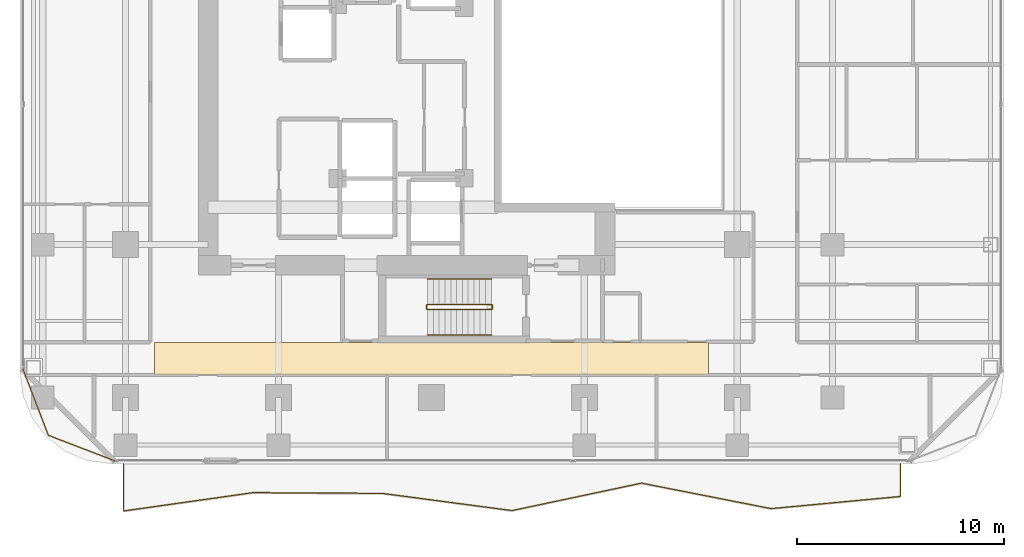
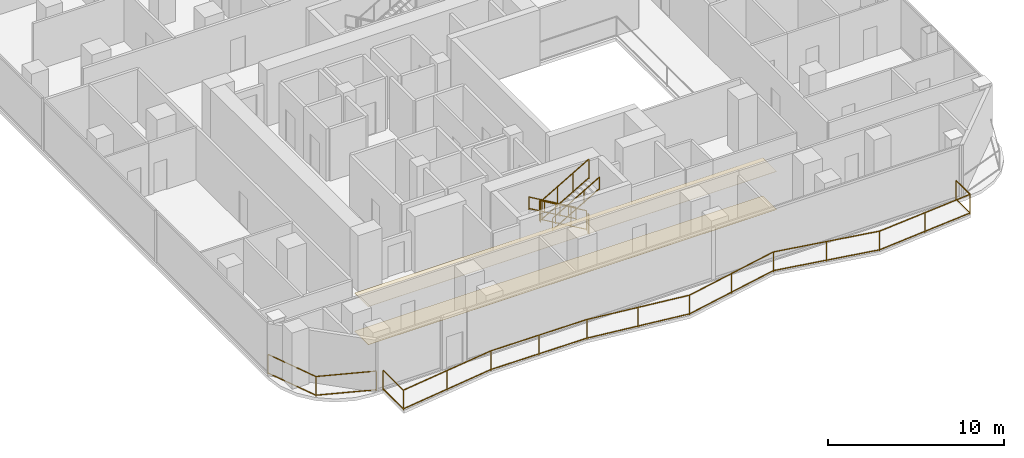
# One storey, part 25 of 27: 8 railings, 2 coverings.
"""IFC4 building model written with IfcOpenShell, lengths in metres."""

from ifc_helpers import new_model, si_unit, direction, frame, origin, origin_2d, place, context, subcontext, project, spatial, polyline, rectangle, outline, extrude, material, layer, layer_set, type_object, element, save


model = new_model("IFC4")

# Units and contexts
model_context = context("Model", 3, precision=1e-05, world=origin(), true_north=direction((0.0, 1.0)))
body_context = subcontext(model_context, "Body", "Model", "MODEL_VIEW")
ifc_project = project(units=[si_unit("LENGTHUNIT", "METRE"), si_unit("AREAUNIT", "SQUARE_METRE"), si_unit("VOLUMEUNIT", "CUBIC_METRE"), si_unit("PLANEANGLEUNIT", "RADIAN"), si_unit("MASSUNIT", "GRAM", prefix="KILO")], contexts=[model_context])

# Site, building, storey
site_placement = place(None, origin())
site = spatial("IfcSite", under=ifc_project, at=site_placement, CompositionType="ELEMENT")
building_placement = place(site_placement, origin())
building = spatial("IfcBuilding", under=site, at=building_placement, Name="Khorvyn Point Tower", CompositionType="ELEMENT")
storey_placement = place(building_placement, frame((0.0, 0.0, 132.89990234375)))
storey = spatial("IfcBuildingStorey", under=building, at=storey_placement, Name="L33", CompositionType="ELEMENT", Elevation=132.89990234375)

# Railings
ifc_material_1 = material(Name="Anodised aluminium 6063-T6 and laminated safety glass", Category="aluminium")
railing_type_1 = type_object("IfcRailingType", Name="Laminated Glass and Aluminium Balcony Guardrail 1400", PredefinedType="BALUSTRADE", material=ifc_material_1)
railing_1_placement = place(storey_placement, frame((-19.774169921875, -13.3759765625, 0.0)))
element("IfcRailing", 1, at=railing_1_placement, inside=storey, type_object=railing_type_1, Name="L33 Rounded Corner Edge Guardrail SW", PredefinedType="BALUSTRADE", context=body_context, shape_type="SweptSolid", body=[
    extrude(rectangle(XDim=0.048095703125, YDim=0.048095703125, at=origin_2d()), frame((0.0, 0.0, 1.3759765625), z_axis=(0.358382264808, -0.933574931257, 0.0), x_axis=(0.933574931257, 0.358382264808, 0.0)), (0.0, 0.0, 1.0), 3.481689453125),
    extrude(rectangle(XDim=0.048095703125, YDim=0.048095703125, at=origin_2d()), frame((0.0, 0.0, 0.080078125), z_axis=(0.358382264808, -0.933574931257, 0.0), x_axis=(0.933574931257, 0.358382264808, 0.0)), (0.0, 0.0, 1.0), 3.481689453125),
    extrude(rectangle(XDim=0.048095703125, YDim=0.048095703125, at=origin_2d()), frame((1.247802734375, -3.25048828125, 1.3759765625), z_axis=(0.933598390295, -0.358321148746, 0.0), x_axis=(0.358321148746, 0.933598390295, 0.0)), (0.0, 0.0, 1.0), 3.481689453125),
    extrude(rectangle(XDim=0.048095703125, YDim=0.048095703125, at=origin_2d()), frame((1.247802734375, -3.25048828125, 0.080078125), z_axis=(0.933598390295, -0.358321148746, 0.0), x_axis=(0.358321148746, 0.933598390295, 0.0)), (0.0, 0.0, 1.0), 3.481689453125),
    extrude(rectangle(XDim=0.0419921875, YDim=0.0419921875, at=origin_2d()), origin(), (0.0, 0.0, 1.0), 1.351806640625),
    extrude(rectangle(XDim=0.0419921875, YDim=0.0419921875, at=origin_2d()), frame((1.247802734375, -3.25048828125, 0.0)), (0.0, 0.0, 1.0), 1.351806640625),
    extrude(rectangle(XDim=0.0419921875, YDim=0.0419921875, at=origin_2d()), frame((4.498291015625, -4.498046875, 0.0)), (0.0, 0.0, 1.0), 1.351806640625),
])
railing_2_placement = place(storey_placement, frame((-14.89990234375, -18.0, 0.0)))
element("IfcRailing", 2, at=railing_2_placement, inside=storey, type_object=railing_type_1, Name="L33 South Balcony Guardrail", PredefinedType="BALUSTRADE", context=body_context, shape_type="SweptSolid", body=[
    extrude(rectangle(XDim=0.048095703125, YDim=0.048095703125, at=origin_2d()), frame((0.0, 0.0, 1.3759765625), z_axis=(0.0, -1.0, 0.0), x_axis=(1.0, 0.0, 0.0)), (0.0, 0.0, 1.0), 2.285400390625),
    extrude(rectangle(XDim=0.048095703125, YDim=0.048095703125, at=origin_2d()), frame((0.0, 0.0, 0.080078125), z_axis=(0.0, -1.0, 0.0), x_axis=(1.0, 0.0, 0.0)), (0.0, 0.0, 1.0), 2.285400390625),
    extrude(rectangle(XDim=0.048095703125, YDim=0.048095703125, at=origin_2d()), frame((0.0, -2.285400390625, 1.3759765625), z_axis=(0.990115445767, 0.14025478264, 0.0), x_axis=(-0.14025478264, 0.990115445767, 0.0)), (0.0, 0.0, 1.0), 6.3291015625),
    extrude(rectangle(XDim=0.048095703125, YDim=0.048095703125, at=origin_2d()), frame((0.0, -2.285400390625, 0.080078125), z_axis=(0.990115445767, 0.14025478264, 0.0), x_axis=(-0.14025478264, 0.990115445767, 0.0)), (0.0, 0.0, 1.0), 6.3291015625),
    extrude(rectangle(XDim=0.048095703125, YDim=0.048095703125, at=origin_2d()), frame((6.2666015625, -1.397705078125, 1.3759765625), z_axis=(0.999983601281, -0.005726881307, 0.0), x_axis=(0.005726881307, 0.999983601281, 0.0)), (0.0, 0.0, 1.0), 6.2666015625),
    extrude(rectangle(XDim=0.048095703125, YDim=0.048095703125, at=origin_2d()), frame((6.2666015625, -1.397705078125, 0.080078125), z_axis=(0.999983601281, -0.005726881307, 0.0), x_axis=(0.005726881307, 0.999983601281, 0.0)), (0.0, 0.0, 1.0), 6.2666015625),
    extrude(rectangle(XDim=0.048095703125, YDim=0.048095703125, at=origin_2d()), frame((12.533203125, -1.43359375, 1.3759765625), z_axis=(0.991305643604, -0.131579333324, 0.0), x_axis=(0.131579333324, 0.991305643604, 0.0)), (0.0, 0.0, 1.0), 6.321533203125),
    extrude(rectangle(XDim=0.048095703125, YDim=0.048095703125, at=origin_2d()), frame((12.533203125, -1.43359375, 0.080078125), z_axis=(0.991305643604, -0.131579333324, 0.0), x_axis=(0.131579333324, 0.991305643604, 0.0)), (0.0, 0.0, 1.0), 6.321533203125),
    extrude(rectangle(XDim=0.048095703125, YDim=0.048095703125, at=origin_2d()), frame((18.7998046875, -2.265380859375, 1.3759765625), z_axis=(0.978249125482, 0.207433479684, 0.0), x_axis=(-0.207433479684, 0.978249125482, 0.0)), (0.0, 0.0, 1.0), 6.40625),
    extrude(rectangle(XDim=0.048095703125, YDim=0.048095703125, at=origin_2d()), frame((18.7998046875, -2.265380859375, 0.080078125), z_axis=(0.978249125482, 0.207433479684, 0.0), x_axis=(-0.207433479684, 0.978249125482, 0.0)), (0.0, 0.0, 1.0), 6.40625),
    extrude(rectangle(XDim=0.048095703125, YDim=0.048095703125, at=origin_2d()), frame((25.066650390625, -0.9365234375, 1.3759765625), z_axis=(0.98116869385, -0.193152774272, 0.0), x_axis=(0.193152774272, 0.98116869385, 0.0)), (0.0, 0.0, 1.0), 6.386962890625),
    extrude(rectangle(XDim=0.048095703125, YDim=0.048095703125, at=origin_2d()), frame((25.066650390625, -0.9365234375, 0.080078125), z_axis=(0.98116869385, -0.193152774272, 0.0), x_axis=(0.193152774272, 0.98116869385, 0.0)), (0.0, 0.0, 1.0), 6.386962890625),
    extrude(rectangle(XDim=0.048095703125, YDim=0.048095703125, at=origin_2d()), frame((31.333251953125, -2.170166015625, 1.3759765625), z_axis=(0.995621149149, 0.093480090753, 0.0), x_axis=(-0.093480090753, 0.995621149149, 0.0)), (0.0, 0.0, 1.0), 6.294189453125),
    extrude(rectangle(XDim=0.048095703125, YDim=0.048095703125, at=origin_2d()), frame((31.333251953125, -2.170166015625, 0.080078125), z_axis=(0.995621149149, 0.093480090753, 0.0), x_axis=(-0.093480090753, 0.995621149149, 0.0)), (0.0, 0.0, 1.0), 6.294189453125),
    extrude(rectangle(XDim=0.048095703125, YDim=0.048095703125, at=origin_2d()), frame((37.599853515625, -1.581787109375, 1.3759765625), z_axis=(0.0, 1.0, 0.0), x_axis=(-1.0, 0.0, 0.0)), (0.0, 0.0, 1.0), 1.581787109375),
    extrude(rectangle(XDim=0.048095703125, YDim=0.048095703125, at=origin_2d()), frame((37.599853515625, -1.581787109375, 0.080078125), z_axis=(0.0, 1.0, 0.0), x_axis=(-1.0, 0.0, 0.0)), (0.0, 0.0, 1.0), 1.581787109375),
    extrude(rectangle(XDim=0.0419921875, YDim=0.0419921875, at=origin_2d()), origin(), (0.0, 0.0, 1.0), 1.351806640625),
    extrude(rectangle(XDim=0.0419921875, YDim=0.0419921875, at=origin_2d()), frame((0.0, -2.285400390625, 0.0)), (0.0, 0.0, 1.0), 1.351806640625),
    extrude(rectangle(XDim=0.0419921875, YDim=0.0419921875, at=origin_2d()), frame((3.13330078125, -1.841552734375, 0.0)), (0.0, 0.0, 1.0), 1.351806640625),
    extrude(rectangle(XDim=0.0419921875, YDim=0.0419921875, at=origin_2d()), frame((6.2666015625, -1.397705078125, 0.0)), (0.0, 0.0, 1.0), 1.351806640625),
    extrude(rectangle(XDim=0.0419921875, YDim=0.0419921875, at=origin_2d()), frame((9.39990234375, -1.41552734375, 0.0)), (0.0, 0.0, 1.0), 1.351806640625),
    extrude(rectangle(XDim=0.0419921875, YDim=0.0419921875, at=origin_2d()), frame((12.533203125, -1.43359375, 0.0)), (0.0, 0.0, 1.0), 1.351806640625),
    extrude(rectangle(XDim=0.0419921875, YDim=0.0419921875, at=origin_2d()), frame((15.66650390625, -1.849609375, 0.0)), (0.0, 0.0, 1.0), 1.351806640625),
    extrude(rectangle(XDim=0.0419921875, YDim=0.0419921875, at=origin_2d()), frame((18.7998046875, -2.265380859375, 0.0)), (0.0, 0.0, 1.0), 1.351806640625),
    extrude(rectangle(XDim=0.0419921875, YDim=0.0419921875, at=origin_2d()), frame((21.93310546875, -1.60107421875, 0.0)), (0.0, 0.0, 1.0), 1.351806640625),
    extrude(rectangle(XDim=0.0419921875, YDim=0.0419921875, at=origin_2d()), frame((25.066650390625, -0.9365234375, 0.0)), (0.0, 0.0, 1.0), 1.351806640625),
    extrude(rectangle(XDim=0.0419921875, YDim=0.0419921875, at=origin_2d()), frame((28.199951171875, -1.55322265625, 0.0)), (0.0, 0.0, 1.0), 1.351806640625),
    extrude(rectangle(XDim=0.0419921875, YDim=0.0419921875, at=origin_2d()), frame((31.333251953125, -2.170166015625, 0.0)), (0.0, 0.0, 1.0), 1.351806640625),
    extrude(rectangle(XDim=0.0419921875, YDim=0.0419921875, at=origin_2d()), frame((34.466552734375, -1.8759765625, 0.0)), (0.0, 0.0, 1.0), 1.351806640625),
    extrude(rectangle(XDim=0.0419921875, YDim=0.0419921875, at=origin_2d()), frame((37.599853515625, -1.581787109375, 0.0)), (0.0, 0.0, 1.0), 1.351806640625),
    extrude(rectangle(XDim=0.0419921875, YDim=0.0419921875, at=origin_2d()), frame((37.599853515625, 0.0, 0.0)), (0.0, 0.0, 1.0), 1.351806640625),
])

# Coverings
ifc_material_2 = material(Name="Mineral-fibre acoustic ceiling board", Category="gypsum")
ifc_layer_1 = layer(ifc_material_2, 0.02001953125)
ifc_layer_set_1 = layer_set([ifc_layer_1], Name="Perforated Mineral-Fibre Acoustic Suspended Ceiling 20")
covering_type_1 = type_object("IfcCoveringType", Name="Perforated Mineral-Fibre Acoustic Suspended Ceiling 20", PredefinedType="CEILING", material=ifc_layer_set_1)
covering_1_placement = place(storey_placement, frame((0.0, 0.0, 2.64013671875)))
element("IfcCovering", 3, at=covering_1_placement, inside=storey, type_object=covering_type_1, Name="L33 South Corridor Acoustic Ceiling", PredefinedType="CEILING", context=body_context, shape_type="SweptSolid", body=[
    extrude(outline(polyline([(-13.39990234375, -13.7099609375), (13.39990234375, -13.7099609375), (13.39990234375, -12.139892578125), (-13.39990234375, -12.139892578125), (-13.39990234375, -13.7099609375)])), origin(), (0.0, 0.0, 1.0), 0.02001953125),
])
ifc_material_3 = material(Name="Vitrified porcelain terrazzo tile", Category="ceramic")
ifc_layer_2 = layer(ifc_material_3, 0.01806640625)
ifc_layer_set_2 = layer_set([ifc_layer_2], Name="Porcelain Terrazzo Corridor Floor Finish Tile 18")
covering_type_2 = type_object("IfcCoveringType", Name="Porcelain Terrazzo Corridor Floor Finish Tile 18", PredefinedType="FLOORING", material=ifc_layer_set_2)
covering_2_placement = place(storey_placement, origin())
element("IfcCovering", 4, at=covering_2_placement, inside=storey, type_object=covering_type_2, Name="L33 South Corridor Terrazzo Flooring", PredefinedType="FLOORING", context=body_context, shape_type="SweptSolid", body=[
    extrude(outline(polyline([(-13.39990234375, -13.7099609375), (13.39990234375, -13.7099609375), (13.39990234375, -12.139892578125), (-13.39990234375, -12.139892578125), (-13.39990234375, -13.7099609375)])), origin(), (0.0, 0.0, 1.0), 0.01806640625),
])

# Railings
ifc_material_4 = material(Name="Stainless steel 1.4301", Category="steel")
railing_type_2 = type_object("IfcRailingType", Name="Stainless Steel 304 Stair Pitch Handrail 900", PredefinedType="HANDRAIL", material=ifc_material_4)
railing_3_placement = place(storey_placement, frame((2.89990234375, -9.070068359375, 0.16259765625)))
element("IfcRailing", 5, at=railing_3_placement, inside=storey, type_object=railing_type_2, Name="L33 ST-01 stair handrail 1", PredefinedType="HANDRAIL", context=body_context, shape_type="SweptSolid", body=[
    extrude(rectangle(XDim=0.048095703125, YDim=0.048095703125, at=origin_2d()), frame((0.0, 0.0, 0.8759765625), z_axis=(-0.864873446163, 0.0, 0.501989962173), x_axis=(0.0, -1.0, 0.0)), (0.0, 0.0, 1.0), 3.56103515625),
    extrude(rectangle(XDim=0.048095703125, YDim=0.048095703125, at=origin_2d()), frame((0.0, 0.0, 0.080078125), z_axis=(-0.864873446163, 0.0, 0.501989962173), x_axis=(0.0, -1.0, 0.0)), (0.0, 0.0, 1.0), 3.56103515625),
    extrude(rectangle(XDim=0.0419921875, YDim=0.0419921875, at=origin_2d()), origin(), (0.0, 0.0, 1.0), 0.851806640625),
    extrude(rectangle(XDim=0.0419921875, YDim=0.0419921875, at=origin_2d()), frame((-1.026611328125, 0.0, 0.595947265625)), (0.0, 0.0, 1.0), 0.851806640625),
    extrude(rectangle(XDim=0.0419921875, YDim=0.0419921875, at=origin_2d()), frame((-2.05322265625, 0.0, 1.191650390625)), (0.0, 0.0, 1.0), 0.851806640625),
    extrude(rectangle(XDim=0.0419921875, YDim=0.0419921875, at=origin_2d()), frame((-3.079833984375, 0.0, 1.78759765625)), (0.0, 0.0, 1.0), 0.851806640625),
])
railing_4_placement = place(storey_placement, frame((-0.179931640625, -11.77001953125, 2.112548828125)))
element("IfcRailing", 6, at=railing_4_placement, inside=storey, type_object=railing_type_2, Name="L33 ST-01 stair handrail 2", PredefinedType="HANDRAIL", context=body_context, shape_type="SweptSolid", body=[
    extrude(rectangle(XDim=0.048095703125, YDim=0.048095703125, at=origin_2d()), frame((0.0, 0.0, 0.8759765625), z_axis=(0.864873446163, 0.0, 0.501989962173), x_axis=(0.0, 1.0, 0.0)), (0.0, 0.0, 1.0), 3.56103515625),
    extrude(rectangle(XDim=0.048095703125, YDim=0.048095703125, at=origin_2d()), frame((0.0, 0.0, 0.080078125), z_axis=(0.864873446163, 0.0, 0.501989962173), x_axis=(0.0, 1.0, 0.0)), (0.0, 0.0, 1.0), 3.56103515625),
    extrude(rectangle(XDim=0.0419921875, YDim=0.0419921875, at=origin_2d()), origin(), (0.0, 0.0, 1.0), 0.851806640625),
    extrude(rectangle(XDim=0.0419921875, YDim=0.0419921875, at=origin_2d()), frame((1.026611328125, 0.0, 0.595947265625)), (0.0, 0.0, 1.0), 0.851806640625),
    extrude(rectangle(XDim=0.0419921875, YDim=0.0419921875, at=origin_2d()), frame((2.05322265625, 0.0, 1.191650390625)), (0.0, 0.0, 1.0), 0.851806640625),
    extrude(rectangle(XDim=0.0419921875, YDim=0.0419921875, at=origin_2d()), frame((3.079833984375, 0.0, 1.78759765625)), (0.0, 0.0, 1.0), 0.851806640625),
])
railing_type_3 = type_object("IfcRailingType", Name="Stainless Steel 304 Stair Well Guardrail 1400", PredefinedType="GUARDRAIL", material=ifc_material_4)
railing_5_placement = place(storey_placement, frame((2.89990234375, -10.2900390625, 0.16259765625)))
element("IfcRailing", 7, at=railing_5_placement, inside=storey, type_object=railing_type_3, Name="L33 ST-01 stair guard 1", PredefinedType="GUARDRAIL", context=body_context, shape_type="SweptSolid", body=[
    extrude(rectangle(XDim=0.048095703125, YDim=0.048095703125, at=origin_2d()), frame((0.0, 0.0, 1.3759765625), z_axis=(-0.864873446163, 0.0, 0.501989962173), x_axis=(0.0, -1.0, 0.0)), (0.0, 0.0, 1.0), 3.56103515625),
    extrude(rectangle(XDim=0.048095703125, YDim=0.048095703125, at=origin_2d()), frame((0.0, 0.0, 0.080078125), z_axis=(-0.864873446163, 0.0, 0.501989962173), x_axis=(0.0, -1.0, 0.0)), (0.0, 0.0, 1.0), 3.56103515625),
    extrude(rectangle(XDim=0.0419921875, YDim=0.0419921875, at=origin_2d()), origin(), (0.0, 0.0, 1.0), 1.351806640625),
    extrude(rectangle(XDim=0.0419921875, YDim=0.0419921875, at=origin_2d()), frame((-1.026611328125, 0.0, 0.595947265625)), (0.0, 0.0, 1.0), 1.351806640625),
    extrude(rectangle(XDim=0.0419921875, YDim=0.0419921875, at=origin_2d()), frame((-2.05322265625, 0.0, 1.191650390625)), (0.0, 0.0, 1.0), 1.351806640625),
    extrude(rectangle(XDim=0.0419921875, YDim=0.0419921875, at=origin_2d()), frame((-3.079833984375, 0.0, 1.78759765625)), (0.0, 0.0, 1.0), 1.351806640625),
])
railing_6_placement = place(storey_placement, frame((-0.22998046875, -10.340087890625, 1.9501953125)))
element("IfcRailing", 8, at=railing_6_placement, inside=storey, type_object=railing_type_3, Name="L33 ST-01 stair guard 2", PredefinedType="GUARDRAIL", context=body_context, shape_type="SweptSolid", body=[
    extrude(rectangle(XDim=0.048095703125, YDim=0.048095703125, at=origin_2d()), frame((0.0, 0.0, 1.3759765625), z_axis=(0.0, -1.0, 0.0), x_axis=(1.0, 0.0, 0.0)), (0.0, 0.0, 1.0), 0.159912109375),
    extrude(rectangle(XDim=0.048095703125, YDim=0.048095703125, at=origin_2d()), frame((0.0, 0.0, 0.080078125), z_axis=(0.0, -1.0, 0.0), x_axis=(1.0, 0.0, 0.0)), (0.0, 0.0, 1.0), 0.159912109375),
    extrude(rectangle(XDim=0.0419921875, YDim=0.0419921875, at=origin_2d()), origin(), (0.0, 0.0, 1.0), 1.351806640625),
    extrude(rectangle(XDim=0.0419921875, YDim=0.0419921875, at=origin_2d()), frame((0.0, -0.159912109375, 0.0)), (0.0, 0.0, 1.0), 1.351806640625),
])
railing_7_placement = place(storey_placement, frame((-0.179931640625, -10.550048828125, 2.112548828125)))
element("IfcRailing", 9, at=railing_7_placement, inside=storey, type_object=railing_type_3, Name="L33 ST-01 stair guard 3", PredefinedType="GUARDRAIL", context=body_context, shape_type="SweptSolid", body=[
    extrude(rectangle(XDim=0.048095703125, YDim=0.048095703125, at=origin_2d()), frame((0.0, 0.0, 1.3759765625), z_axis=(0.864873446163, 0.0, 0.501989962173), x_axis=(0.0, 1.0, 0.0)), (0.0, 0.0, 1.0), 3.56103515625),
    extrude(rectangle(XDim=0.048095703125, YDim=0.048095703125, at=origin_2d()), frame((0.0, 0.0, 0.080078125), z_axis=(0.864873446163, 0.0, 0.501989962173), x_axis=(0.0, 1.0, 0.0)), (0.0, 0.0, 1.0), 3.56103515625),
    extrude(rectangle(XDim=0.0419921875, YDim=0.0419921875, at=origin_2d()), origin(), (0.0, 0.0, 1.0), 1.351806640625),
    extrude(rectangle(XDim=0.0419921875, YDim=0.0419921875, at=origin_2d()), frame((1.026611328125, 0.0, 0.595947265625)), (0.0, 0.0, 1.0), 1.351806640625),
    extrude(rectangle(XDim=0.0419921875, YDim=0.0419921875, at=origin_2d()), frame((2.05322265625, 0.0, 1.191650390625)), (0.0, 0.0, 1.0), 1.351806640625),
    extrude(rectangle(XDim=0.0419921875, YDim=0.0419921875, at=origin_2d()), frame((3.079833984375, 0.0, 1.78759765625)), (0.0, 0.0, 1.0), 1.351806640625),
])
railing_8_placement = place(storey_placement, frame((2.949951171875, -10.340087890625, 0.0)))
element("IfcRailing", 10, at=railing_8_placement, inside=storey, type_object=railing_type_3, Name="L33 ST-01 stair guard 4", PredefinedType="GUARDRAIL", context=body_context, shape_type="SweptSolid", body=[
    extrude(rectangle(XDim=0.048095703125, YDim=0.048095703125, at=origin_2d()), frame((0.0, 0.0, 1.3759765625), z_axis=(0.0, -1.0, 0.0), x_axis=(1.0, 0.0, 0.0)), (0.0, 0.0, 1.0), 0.159912109375),
    extrude(rectangle(XDim=0.048095703125, YDim=0.048095703125, at=origin_2d()), frame((0.0, 0.0, 0.080078125), z_axis=(0.0, -1.0, 0.0), x_axis=(1.0, 0.0, 0.0)), (0.0, 0.0, 1.0), 0.159912109375),
    extrude(rectangle(XDim=0.0419921875, YDim=0.0419921875, at=origin_2d()), origin(), (0.0, 0.0, 1.0), 1.351806640625),
    extrude(rectangle(XDim=0.0419921875, YDim=0.0419921875, at=origin_2d()), frame((0.0, -0.159912109375, 0.0)), (0.0, 0.0, 1.0), 1.351806640625),
])

save(model, "model.ifc")
